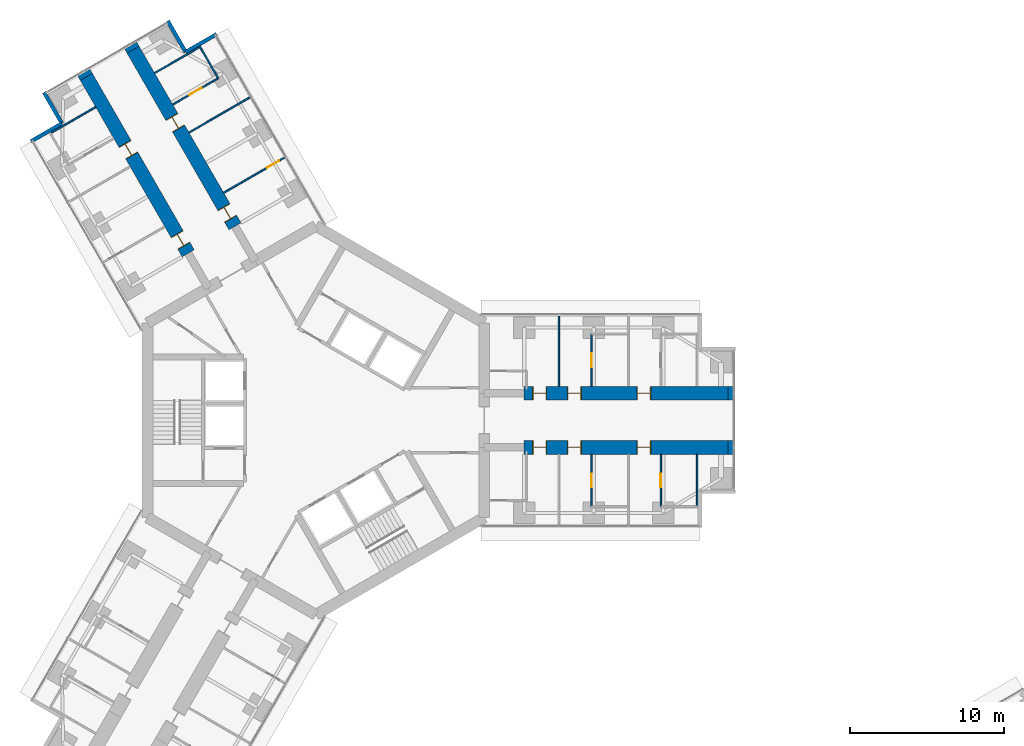
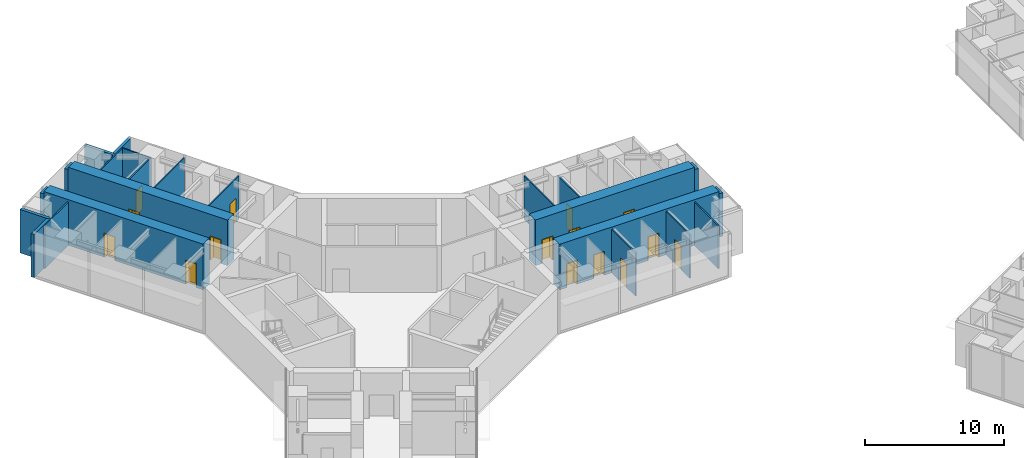
# One storey, part 19 of 25: 23 walls, 15 doors, 15 openings.
"""IFC4 building model written with IfcOpenShell, lengths in metres."""

from ifc_helpers import new_model, si_unit, direction, frame, frame_2d, origin, place, context, subcontext, project, spatial, rectangle, extrude, material, layer, layer_set, type_object, element, fill, save


model = new_model("IFC4")

# Units and contexts
model_context = context("Model", 3, precision=1e-05, world=origin(), true_north=direction((0.0, 1.0)))
body_context = subcontext(model_context, "Body", "Model", "MODEL_VIEW")
ifc_project = project(units=[si_unit("LENGTHUNIT", "METRE"), si_unit("AREAUNIT", "SQUARE_METRE"), si_unit("VOLUMEUNIT", "CUBIC_METRE"), si_unit("PLANEANGLEUNIT", "RADIAN"), si_unit("MASSUNIT", "GRAM", prefix="KILO")], contexts=[model_context])

# Site, building, storey
site_placement = place(None, origin())
site = spatial("IfcSite", under=ifc_project, at=site_placement, CompositionType="ELEMENT")
building_placement = place(site_placement, origin())
building = spatial("IfcBuilding", under=site, at=building_placement, Name="Upepo Twin Towers", CompositionType="ELEMENT")
storey_placement = place(building_placement, frame((0.0, 0.0, 84.5)))
storey = spatial("IfcBuildingStorey", under=building, at=storey_placement, Name="L20", CompositionType="ELEMENT", Elevation=84.5)

# Walls
ifc_material_1 = material(Name="Dense concrete blockwork", Category="masonry")
ifc_layer_1 = layer(ifc_material_1, 0.89990234375)
ifc_layer_set_1 = layer_set([ifc_layer_1], Name="Buttress closer 900, blockwork with fire-stopping to the curtain wall")
wall_type_1 = type_object("IfcWallType", Name="Buttress closer 900, blockwork with fire-stopping to the curtain wall", PredefinedType="PARTITIONING", material=ifc_layer_set_1)
for number, where, z_axis, x_axis, name in (
    (1, (26.699951171875, 1.75, 0.0), (0.0, 0.0, 1.0), (1.0, 0.0, 0.0), "T1 L20 wing A buttress closer L"),
    (2, (26.699951171875, -1.75, 0.0), (0.0, 0.0, 1.0), (1.0, 0.0, 0.0), "T1 L20 wing A buttress closer R"),
    (3, (-14.865478515625, 22.247802734375, 0.0), (0.0, 0.0, 1.0), (-0.499949632511, 0.866054481515, 0.0), "T1 L20 wing B buttress closer L"),
    (4, (-11.83447265625, 23.997802734375, 0.0), (0.0, 0.0, 1.0), (-0.499949632511, 0.866054481515, 0.0), "T1 L20 wing B buttress closer R"),
):
    element("IfcWall", number, at=place(storey_placement, frame(where, z_axis=z_axis, x_axis=x_axis)), inside=storey, type_object=wall_type_1, Name=name, PredefinedType="PARTITIONING", context=body_context, shape_type="SweptSolid", body=[
        extrude(rectangle(XDim=0.31005859375, YDim=0.89990234375, at=frame_2d((0.155029296875, 0.0))), origin(), (0.0, 0.0, 1.0), 3.800048828125),
    ])

# Wall, openings, doors
ifc_material_2 = material(Name="Concrete C60/75", Category="concrete")
ifc_layer_2 = layer(ifc_material_2, 0.89990234375)
ifc_layer_set_2 = layer_set([ifc_layer_2], Name="Concrete C60/75")
wall_type_2 = type_object("IfcWallType", Name="Buttress wall 900 RC", PredefinedType="SHEAR", material=ifc_layer_set_2)
wall_1_placement = place(storey_placement, frame((13.5, 1.75, 0.0), z_axis=(0.0, 0.0, 1.0), x_axis=(1.0, 0.0, 0.0)))
wall_1 = element("IfcWall", 5, at=wall_1_placement, inside=storey, type_object=wall_type_2, Name="T1 wing A buttress wall L part 2", PredefinedType="SHEAR", context=body_context, shape_type="SweptSolid", body=[
    extrude(rectangle(XDim=13.199951171875, YDim=0.89990234375, at=frame_2d((6.60009765625, 0.0))), origin(), (0.0, 0.0, 1.0), 4.0),
])
opening_1_placement = place(wall_1_placement, frame((0.550048828125, 0.0, 0.0)))
opening_1 = element("IfcOpeningElement", 6, at=opening_1_placement, cuts=wall_1, Name="Opening D11", PredefinedType="OPENING", context=body_context, shape_type="SweptSolid", body=[
    extrude(rectangle(XDim=0.89990234375, YDim=2.10009765625, at=frame_2d((0.449951171875, 1.050048828125))), frame((0.0, 0.4599609375, 0.0), z_axis=(0.0, -1.0, 0.0), x_axis=(1.0, 0.0, 0.0)), (0.0, 0.0, 1.0), 0.919921875),
])
opening_2_placement = place(wall_1_placement, frame((2.800048828125, 0.0, 0.0)))
opening_2 = element("IfcOpeningElement", 7, at=opening_2_placement, cuts=wall_1, Name="Opening D14", PredefinedType="OPENING", context=body_context, shape_type="SweptSolid", body=[
    extrude(rectangle(XDim=0.89990234375, YDim=2.10009765625, at=frame_2d((0.449951171875, 1.050048828125))), frame((0.0, 0.4599609375, 0.0), z_axis=(0.0, -1.0, 0.0), x_axis=(1.0, 0.0, 0.0)), (0.0, 0.0, 1.0), 0.919921875),
])
opening_3_placement = place(wall_1_placement, frame((7.300048828125, 0.0, 0.0)))
opening_3 = element("IfcOpeningElement", 8, at=opening_3_placement, cuts=wall_1, Name="Opening D14", PredefinedType="OPENING", context=body_context, shape_type="SweptSolid", body=[
    extrude(rectangle(XDim=0.89990234375, YDim=2.10009765625, at=frame_2d((0.449951171875, 1.050048828125))), frame((0.0, 0.4599609375, 0.0), z_axis=(0.0, -1.0, 0.0), x_axis=(1.0, 0.0, 0.0)), (0.0, 0.0, 1.0), 0.919921875),
])
ifc_material_3 = material(Name="Timber doorset", Category="wood")
door_type_1 = type_object("IfcDoorType", Name="Office door 900 FD30", OperationType="SINGLE_SWING_LEFT", PredefinedType="DOOR", material=ifc_material_3)
door_1_placement = place(opening_2_placement, origin())
door_1 = element("IfcDoor", 9, at=door_1_placement, inside=storey, type_object=door_type_1, Name="T1 L20 staff office door", OperationType="SINGLE_SWING_LEFT", OverallHeight=2.10009765625, OverallWidth=0.89990234375, PredefinedType="DOOR", context=body_context, shape_type="SweptSolid", body=[
    extrude(rectangle(XDim=0.81990234375, YDim=2.06009765625, at=frame_2d((0.449951171875, 1.030029296875))), frame((0.0, 0.02490234375, 0.0), z_axis=(0.0, -1.0, 0.0), x_axis=(1.0, 0.0, 0.0)), (0.0, 0.0, 1.0), 0.050048828125),
    extrude(rectangle(XDim=0.04, YDim=2.10009765625, at=frame_2d((0.02001953125, 1.050048828125))), frame((0.0, 0.44970703125, 0.0), z_axis=(0.0, -1.0, 0.0), x_axis=(1.0, 0.0, 0.0)), (0.0, 0.0, 1.0), 0.8994140625),
    extrude(rectangle(XDim=0.04, YDim=2.10009765625, at=frame_2d((0.8798828125, 1.050048828125))), frame((0.0, 0.44970703125, 0.0), z_axis=(0.0, -1.0, 0.0), x_axis=(1.0, 0.0, 0.0)), (0.0, 0.0, 1.0), 0.8994140625),
    extrude(rectangle(XDim=0.81990234375, YDim=0.04, at=frame_2d((0.449951171875, 2.080078125))), frame((0.0, 0.44970703125, 0.0), z_axis=(0.0, -1.0, 0.0), x_axis=(1.0, 0.0, 0.0)), (0.0, 0.0, 1.0), 0.8994140625),
])
fill(opening_2, door_1)
door_2_placement = place(opening_3_placement, origin())
door_2 = element("IfcDoor", 10, at=door_2_placement, inside=storey, type_object=door_type_1, Name="T1 L20 postgraduate office door", OperationType="SINGLE_SWING_RIGHT", OverallHeight=2.10009765625, OverallWidth=0.89990234375, PredefinedType="DOOR", context=body_context, shape_type="SweptSolid", body=[
    extrude(rectangle(XDim=0.81990234375, YDim=2.06009765625, at=frame_2d((0.449951171875, 1.030029296875))), frame((0.0, 0.02490234375, 0.0), z_axis=(0.0, -1.0, 0.0), x_axis=(1.0, 0.0, 0.0)), (0.0, 0.0, 1.0), 0.050048828125),
    extrude(rectangle(XDim=0.04, YDim=2.10009765625, at=frame_2d((0.02001953125, 1.050048828125))), frame((0.0, 0.44970703125, 0.0), z_axis=(0.0, -1.0, 0.0), x_axis=(1.0, 0.0, 0.0)), (0.0, 0.0, 1.0), 0.8994140625),
    extrude(rectangle(XDim=0.04, YDim=2.10009765625, at=frame_2d((0.8798828125, 1.050048828125))), frame((0.0, 0.44970703125, 0.0), z_axis=(0.0, -1.0, 0.0), x_axis=(1.0, 0.0, 0.0)), (0.0, 0.0, 1.0), 0.8994140625),
    extrude(rectangle(XDim=0.81990234375, YDim=0.04, at=frame_2d((0.449951171875, 2.080078125))), frame((0.0, 0.44970703125, 0.0), z_axis=(0.0, -1.0, 0.0), x_axis=(1.0, 0.0, 0.0)), (0.0, 0.0, 1.0), 0.8994140625),
])
fill(opening_3, door_2)
ifc_material_4 = material(Name="Timber doorset", Category="wood")
door_type_2 = type_object("IfcDoorType", Name="Toilet door 900", OperationType="SINGLE_SWING_LEFT", PredefinedType="DOOR", material=ifc_material_4)
door_3_placement = place(opening_1_placement, origin())
door_3 = element("IfcDoor", 11, at=door_3_placement, inside=storey, type_object=door_type_2, Name="T1 L20 toilets door", OperationType="SINGLE_SWING_LEFT", OverallHeight=2.10009765625, OverallWidth=0.89990234375, PredefinedType="DOOR", context=body_context, shape_type="SweptSolid", body=[
    extrude(rectangle(XDim=0.81990234375, YDim=2.06009765625, at=frame_2d((0.449951171875, 1.030029296875))), frame((0.0, 0.02490234375, 0.0), z_axis=(0.0, -1.0, 0.0), x_axis=(1.0, 0.0, 0.0)), (0.0, 0.0, 1.0), 0.050048828125),
    extrude(rectangle(XDim=0.04, YDim=2.10009765625, at=frame_2d((0.02001953125, 1.050048828125))), frame((0.0, 0.44970703125, 0.0), z_axis=(0.0, -1.0, 0.0), x_axis=(1.0, 0.0, 0.0)), (0.0, 0.0, 1.0), 0.8994140625),
    extrude(rectangle(XDim=0.04, YDim=2.10009765625, at=frame_2d((0.8798828125, 1.050048828125))), frame((0.0, 0.44970703125, 0.0), z_axis=(0.0, -1.0, 0.0), x_axis=(1.0, 0.0, 0.0)), (0.0, 0.0, 1.0), 0.8994140625),
    extrude(rectangle(XDim=0.81990234375, YDim=0.04, at=frame_2d((0.449951171875, 2.080078125))), frame((0.0, 0.44970703125, 0.0), z_axis=(0.0, -1.0, 0.0), x_axis=(1.0, 0.0, 0.0)), (0.0, 0.0, 1.0), 0.8994140625),
])
fill(opening_1, door_3)

wall_2_placement = place(storey_placement, frame((13.5, -1.75, 0.0), z_axis=(0.0, 0.0, 1.0), x_axis=(1.0, 0.0, 0.0)))
wall_2 = element("IfcWall", 12, at=wall_2_placement, inside=storey, type_object=wall_type_2, Name="T1 wing A buttress wall R part 2", PredefinedType="SHEAR", context=body_context, shape_type="SweptSolid", body=[
    extrude(rectangle(XDim=13.199951171875, YDim=0.89990234375, at=frame_2d((6.60009765625, 0.0))), origin(), (0.0, 0.0, 1.0), 4.0),
])
opening_4_placement = place(wall_2_placement, frame((0.550048828125, 0.0, 0.0)))
opening_4 = element("IfcOpeningElement", 13, at=opening_4_placement, cuts=wall_2, Name="Opening D11", PredefinedType="OPENING", context=body_context, shape_type="SweptSolid", body=[
    extrude(rectangle(XDim=0.89990234375, YDim=2.10009765625, at=frame_2d((0.449951171875, 1.050048828125))), frame((0.0, 0.4599609375, 0.0), z_axis=(0.0, -1.0, 0.0), x_axis=(1.0, 0.0, 0.0)), (0.0, 0.0, 1.0), 0.919921875),
])
opening_5_placement = place(wall_2_placement, frame((2.800048828125, 0.0, 0.0)))
opening_5 = element("IfcOpeningElement", 14, at=opening_5_placement, cuts=wall_2, Name="Opening D14", PredefinedType="OPENING", context=body_context, shape_type="SweptSolid", body=[
    extrude(rectangle(XDim=0.89990234375, YDim=2.10009765625, at=frame_2d((0.449951171875, 1.050048828125))), frame((0.0, 0.4599609375, 0.0), z_axis=(0.0, -1.0, 0.0), x_axis=(1.0, 0.0, 0.0)), (0.0, 0.0, 1.0), 0.919921875),
])
opening_6_placement = place(wall_2_placement, frame((7.300048828125, 0.0, 0.0)))
opening_6 = element("IfcOpeningElement", 15, at=opening_6_placement, cuts=wall_2, Name="Opening D14", PredefinedType="OPENING", context=body_context, shape_type="SweptSolid", body=[
    extrude(rectangle(XDim=0.89990234375, YDim=2.10009765625, at=frame_2d((0.449951171875, 1.050048828125))), frame((0.0, 0.4599609375, 0.0), z_axis=(0.0, -1.0, 0.0), x_axis=(1.0, 0.0, 0.0)), (0.0, 0.0, 1.0), 0.919921875),
])
door_4_placement = place(opening_5_placement, origin())
door_4 = element("IfcDoor", 16, at=door_4_placement, inside=storey, type_object=door_type_1, Name="T1 L20 meeting room door", OperationType="SINGLE_SWING_LEFT", OverallHeight=2.10009765625, OverallWidth=0.89990234375, PredefinedType="DOOR", context=body_context, shape_type="SweptSolid", body=[
    extrude(rectangle(XDim=0.81990234375, YDim=2.06009765625, at=frame_2d((0.449951171875, 1.030029296875))), frame((0.0, 0.02490234375, 0.0), z_axis=(0.0, -1.0, 0.0), x_axis=(1.0, 0.0, 0.0)), (0.0, 0.0, 1.0), 0.050048828125),
    extrude(rectangle(XDim=0.04, YDim=2.10009765625, at=frame_2d((0.02001953125, 1.050048828125))), frame((0.0, 0.44970703125, 0.0), z_axis=(0.0, -1.0, 0.0), x_axis=(1.0, 0.0, 0.0)), (0.0, 0.0, 1.0), 0.8994140625),
    extrude(rectangle(XDim=0.04, YDim=2.10009765625, at=frame_2d((0.8798828125, 1.050048828125))), frame((0.0, 0.44970703125, 0.0), z_axis=(0.0, -1.0, 0.0), x_axis=(1.0, 0.0, 0.0)), (0.0, 0.0, 1.0), 0.8994140625),
    extrude(rectangle(XDim=0.81990234375, YDim=0.04, at=frame_2d((0.449951171875, 2.080078125))), frame((0.0, 0.44970703125, 0.0), z_axis=(0.0, -1.0, 0.0), x_axis=(1.0, 0.0, 0.0)), (0.0, 0.0, 1.0), 0.8994140625),
])
fill(opening_5, door_4)
door_5_placement = place(opening_6_placement, origin())
door_5 = element("IfcDoor", 17, at=door_5_placement, inside=storey, type_object=door_type_1, Name="T1 L20 staff office door", OperationType="SINGLE_SWING_RIGHT", OverallHeight=2.10009765625, OverallWidth=0.89990234375, PredefinedType="DOOR", context=body_context, shape_type="SweptSolid", body=[
    extrude(rectangle(XDim=0.81990234375, YDim=2.06009765625, at=frame_2d((0.449951171875, 1.030029296875))), frame((0.0, 0.02490234375, 0.0), z_axis=(0.0, -1.0, 0.0), x_axis=(1.0, 0.0, 0.0)), (0.0, 0.0, 1.0), 0.050048828125),
    extrude(rectangle(XDim=0.04, YDim=2.10009765625, at=frame_2d((0.02001953125, 1.050048828125))), frame((0.0, 0.44970703125, 0.0), z_axis=(0.0, -1.0, 0.0), x_axis=(1.0, 0.0, 0.0)), (0.0, 0.0, 1.0), 0.8994140625),
    extrude(rectangle(XDim=0.04, YDim=2.10009765625, at=frame_2d((0.8798828125, 1.050048828125))), frame((0.0, 0.44970703125, 0.0), z_axis=(0.0, -1.0, 0.0), x_axis=(1.0, 0.0, 0.0)), (0.0, 0.0, 1.0), 0.8994140625),
    extrude(rectangle(XDim=0.81990234375, YDim=0.04, at=frame_2d((0.449951171875, 2.080078125))), frame((0.0, 0.44970703125, 0.0), z_axis=(0.0, -1.0, 0.0), x_axis=(1.0, 0.0, 0.0)), (0.0, 0.0, 1.0), 0.8994140625),
])
fill(opening_6, door_5)
door_6_placement = place(opening_4_placement, origin())
door_6 = element("IfcDoor", 18, at=door_6_placement, inside=storey, type_object=door_type_2, Name="T1 L20 accessible wc door", OperationType="SINGLE_SWING_LEFT", OverallHeight=2.10009765625, OverallWidth=0.89990234375, PredefinedType="DOOR", context=body_context, shape_type="SweptSolid", body=[
    extrude(rectangle(XDim=0.81990234375, YDim=2.06009765625, at=frame_2d((0.449951171875, 1.030029296875))), frame((0.0, 0.02490234375, 0.0), z_axis=(0.0, -1.0, 0.0), x_axis=(1.0, 0.0, 0.0)), (0.0, 0.0, 1.0), 0.050048828125),
    extrude(rectangle(XDim=0.04, YDim=2.10009765625, at=frame_2d((0.02001953125, 1.050048828125))), frame((0.0, 0.44970703125, 0.0), z_axis=(0.0, -1.0, 0.0), x_axis=(1.0, 0.0, 0.0)), (0.0, 0.0, 1.0), 0.8994140625),
    extrude(rectangle(XDim=0.04, YDim=2.10009765625, at=frame_2d((0.8798828125, 1.050048828125))), frame((0.0, 0.44970703125, 0.0), z_axis=(0.0, -1.0, 0.0), x_axis=(1.0, 0.0, 0.0)), (0.0, 0.0, 1.0), 0.8994140625),
    extrude(rectangle(XDim=0.81990234375, YDim=0.04, at=frame_2d((0.449951171875, 2.080078125))), frame((0.0, 0.44970703125, 0.0), z_axis=(0.0, -1.0, 0.0), x_axis=(1.0, 0.0, 0.0)), (0.0, 0.0, 1.0), 0.8994140625),
])
fill(opening_4, door_6)

wall_3_placement = place(storey_placement, frame((-8.265625, 10.81640625, 0.0), z_axis=(0.0, 0.0, 1.0), x_axis=(-0.499996231654, 0.866027579429, 0.0)))
wall_3 = element("IfcWall", 19, at=wall_3_placement, inside=storey, type_object=wall_type_2, Name="T1 wing B buttress wall L part 2", PredefinedType="SHEAR", context=body_context, shape_type="SweptSolid", body=[
    extrude(rectangle(XDim=13.19970703125, YDim=0.89990234375, at=frame_2d((6.599853515625, 0.0))), origin(), (0.0, 0.0, 1.0), 4.0),
])
opening_7_placement = place(wall_3_placement, frame((0.550048828125, 0.0, 0.0)))
opening_7 = element("IfcOpeningElement", 20, at=opening_7_placement, cuts=wall_3, Name="Opening D14", PredefinedType="OPENING", context=body_context, shape_type="SweptSolid", body=[
    extrude(rectangle(XDim=0.89990234375, YDim=2.10009765625, at=frame_2d((0.449951171875, 1.050048828125))), frame((0.0, 0.4599609375, 0.0), z_axis=(0.0, -1.0, 0.0), x_axis=(1.0, 0.0, 0.0)), (0.0, 0.0, 1.0), 0.919921875),
])
opening_8_placement = place(wall_3_placement, frame((7.300048828125, 0.0, 0.0)))
opening_8 = element("IfcOpeningElement", 21, at=opening_8_placement, cuts=wall_3, Name="Opening D14", PredefinedType="OPENING", context=body_context, shape_type="SweptSolid", body=[
    extrude(rectangle(XDim=0.89990234375, YDim=2.10009765625, at=frame_2d((0.449951171875, 1.050048828125))), frame((0.0, 0.4599609375, 0.0), z_axis=(0.0, -1.0, 0.0), x_axis=(1.0, 0.0, 0.0)), (0.0, 0.0, 1.0), 0.919921875),
])
door_7_placement = place(opening_7_placement, origin())
door_7 = element("IfcDoor", 22, at=door_7_placement, inside=storey, type_object=door_type_1, Name="T1 L20 staff office door", OperationType="SINGLE_SWING_LEFT", OverallHeight=2.10009765625, OverallWidth=0.89990234375, PredefinedType="DOOR", context=body_context, shape_type="SweptSolid", body=[
    extrude(rectangle(XDim=0.81990234375, YDim=2.06009765625, at=frame_2d((0.449951171875, 1.030029296875))), frame((0.0, 0.02490234375, 0.0), z_axis=(0.0, -1.0, 0.0), x_axis=(1.0, 0.0, 0.0)), (0.0, 0.0, 1.0), 0.050048828125),
    extrude(rectangle(XDim=0.04, YDim=2.10009765625, at=frame_2d((0.02001953125, 1.050048828125))), frame((0.0, 0.44970703125, 0.0), z_axis=(0.0, -1.0, 0.0), x_axis=(1.0, 0.0, 0.0)), (0.0, 0.0, 1.0), 0.8994140625),
    extrude(rectangle(XDim=0.04, YDim=2.10009765625, at=frame_2d((0.8798828125, 1.050048828125))), frame((0.0, 0.44970703125, 0.0), z_axis=(0.0, -1.0, 0.0), x_axis=(1.0, 0.0, 0.0)), (0.0, 0.0, 1.0), 0.8994140625),
    extrude(rectangle(XDim=0.81990234375, YDim=0.04, at=frame_2d((0.449951171875, 2.080078125))), frame((0.0, 0.44970703125, 0.0), z_axis=(0.0, -1.0, 0.0), x_axis=(1.0, 0.0, 0.0)), (0.0, 0.0, 1.0), 0.8994140625),
])
fill(opening_7, door_7)
door_8_placement = place(opening_8_placement, origin())
door_8 = element("IfcDoor", 23, at=door_8_placement, inside=storey, type_object=door_type_1, Name="T1 L20 meeting room door", OperationType="SINGLE_SWING_RIGHT", OverallHeight=2.10009765625, OverallWidth=0.89990234375, PredefinedType="DOOR", context=body_context, shape_type="SweptSolid", body=[
    extrude(rectangle(XDim=0.81990234375, YDim=2.06009765625, at=frame_2d((0.449951171875, 1.030029296875))), frame((0.0, 0.02490234375, 0.0), z_axis=(0.0, -1.0, 0.0), x_axis=(1.0, 0.0, 0.0)), (0.0, 0.0, 1.0), 0.050048828125),
    extrude(rectangle(XDim=0.04, YDim=2.10009765625, at=frame_2d((0.02001953125, 1.050048828125))), frame((0.0, 0.44970703125, 0.0), z_axis=(0.0, -1.0, 0.0), x_axis=(1.0, 0.0, 0.0)), (0.0, 0.0, 1.0), 0.8994140625),
    extrude(rectangle(XDim=0.04, YDim=2.10009765625, at=frame_2d((0.8798828125, 1.050048828125))), frame((0.0, 0.44970703125, 0.0), z_axis=(0.0, -1.0, 0.0), x_axis=(1.0, 0.0, 0.0)), (0.0, 0.0, 1.0), 0.8994140625),
    extrude(rectangle(XDim=0.81990234375, YDim=0.04, at=frame_2d((0.449951171875, 2.080078125))), frame((0.0, 0.44970703125, 0.0), z_axis=(0.0, -1.0, 0.0), x_axis=(1.0, 0.0, 0.0)), (0.0, 0.0, 1.0), 0.8994140625),
])
fill(opening_8, door_8)

wall_4_placement = place(storey_placement, frame((-5.234375, 12.56640625, 0.0), z_axis=(0.0, 0.0, 1.0), x_axis=(-0.500010103361, 0.866019570528, 0.0)))
wall_4 = element("IfcWall", 24, at=wall_4_placement, inside=storey, type_object=wall_type_2, Name="T1 wing B buttress wall R part 2", PredefinedType="SHEAR", context=body_context, shape_type="SweptSolid", body=[
    extrude(rectangle(XDim=13.199951171875, YDim=0.89990234375, at=frame_2d((6.60009765625, 0.0))), origin(), (0.0, 0.0, 1.0), 4.0),
])
opening_9_placement = place(wall_4_placement, frame((0.550048828125, 0.0, 0.0)))
opening_9 = element("IfcOpeningElement", 25, at=opening_9_placement, cuts=wall_4, Name="Opening D14", PredefinedType="OPENING", context=body_context, shape_type="SweptSolid", body=[
    extrude(rectangle(XDim=0.89990234375, YDim=2.10009765625, at=frame_2d((0.449951171875, 1.050048828125))), frame((0.0, 0.4599609375, 0.0), z_axis=(0.0, -1.0, 0.0), x_axis=(1.0, 0.0, 0.0)), (0.0, 0.0, 1.0), 0.919921875),
])
opening_10_placement = place(wall_4_placement, frame((7.300048828125, 0.0, 0.0)))
opening_10 = element("IfcOpeningElement", 26, at=opening_10_placement, cuts=wall_4, Name="Opening D14", PredefinedType="OPENING", context=body_context, shape_type="SweptSolid", body=[
    extrude(rectangle(XDim=0.89990234375, YDim=2.10009765625, at=frame_2d((0.449951171875, 1.050048828125))), frame((0.0, 0.4599609375, 0.0), z_axis=(0.0, -1.0, 0.0), x_axis=(1.0, 0.0, 0.0)), (0.0, 0.0, 1.0), 0.919921875),
])
door_9_placement = place(opening_9_placement, origin())
door_9 = element("IfcDoor", 27, at=door_9_placement, inside=storey, type_object=door_type_1, Name="T1 L20 staff office door", OperationType="SINGLE_SWING_LEFT", OverallHeight=2.10009765625, OverallWidth=0.89990234375, PredefinedType="DOOR", context=body_context, shape_type="SweptSolid", body=[
    extrude(rectangle(XDim=0.81990234375, YDim=2.06009765625, at=frame_2d((0.449951171875, 1.030029296875))), frame((0.0, 0.02490234375, 0.0), z_axis=(0.0, -1.0, 0.0), x_axis=(1.0, 0.0, 0.0)), (0.0, 0.0, 1.0), 0.050048828125),
    extrude(rectangle(XDim=0.04, YDim=2.10009765625, at=frame_2d((0.02001953125, 1.050048828125))), frame((0.0, 0.44970703125, 0.0), z_axis=(0.0, -1.0, 0.0), x_axis=(1.0, 0.0, 0.0)), (0.0, 0.0, 1.0), 0.8994140625),
    extrude(rectangle(XDim=0.04, YDim=2.10009765625, at=frame_2d((0.8798828125, 1.050048828125))), frame((0.0, 0.44970703125, 0.0), z_axis=(0.0, -1.0, 0.0), x_axis=(1.0, 0.0, 0.0)), (0.0, 0.0, 1.0), 0.8994140625),
    extrude(rectangle(XDim=0.81990234375, YDim=0.04, at=frame_2d((0.449951171875, 2.080078125))), frame((0.0, 0.44970703125, 0.0), z_axis=(0.0, -1.0, 0.0), x_axis=(1.0, 0.0, 0.0)), (0.0, 0.0, 1.0), 0.8994140625),
])
fill(opening_9, door_9)
door_10_placement = place(opening_10_placement, origin())
door_10 = element("IfcDoor", 28, at=door_10_placement, inside=storey, type_object=door_type_1, Name="T1 L20 postgraduate office door", OperationType="SINGLE_SWING_RIGHT", OverallHeight=2.10009765625, OverallWidth=0.89990234375, PredefinedType="DOOR", context=body_context, shape_type="SweptSolid", body=[
    extrude(rectangle(XDim=0.81990234375, YDim=2.06009765625, at=frame_2d((0.449951171875, 1.030029296875))), frame((0.0, 0.02490234375, 0.0), z_axis=(0.0, -1.0, 0.0), x_axis=(1.0, 0.0, 0.0)), (0.0, 0.0, 1.0), 0.050048828125),
    extrude(rectangle(XDim=0.04, YDim=2.10009765625, at=frame_2d((0.02001953125, 1.050048828125))), frame((0.0, 0.44970703125, 0.0), z_axis=(0.0, -1.0, 0.0), x_axis=(1.0, 0.0, 0.0)), (0.0, 0.0, 1.0), 0.8994140625),
    extrude(rectangle(XDim=0.04, YDim=2.10009765625, at=frame_2d((0.8798828125, 1.050048828125))), frame((0.0, 0.44970703125, 0.0), z_axis=(0.0, -1.0, 0.0), x_axis=(1.0, 0.0, 0.0)), (0.0, 0.0, 1.0), 0.8994140625),
    extrude(rectangle(XDim=0.81990234375, YDim=0.04, at=frame_2d((0.449951171875, 2.080078125))), frame((0.0, 0.44970703125, 0.0), z_axis=(0.0, -1.0, 0.0), x_axis=(1.0, 0.0, 0.0)), (0.0, 0.0, 1.0), 0.8994140625),
])
fill(opening_10, door_10)

# Walls
ifc_material_5 = material(Name="Blockwork with anodised aluminium cladding", Category="masonry")
ifc_layer_3 = layer(ifc_material_5, 0.25)
ifc_layer_set_3 = layer_set([ifc_layer_3], Name="Notch cladding wall 250, pale metal")
wall_type_3 = type_object("IfcWallType", Name="Notch cladding wall 250, pale metal", PredefinedType="STANDARD", material=ifc_layer_set_3)
for number, where, z_axis, x_axis, name in (
    (29, (-18.456298828125, 18.0673828125, 0.0), (0.0, 0.0, 1.0), (0.865998469481, 0.500046648681, 0.0), "T1 L20 wing B notch wall L1"),
    (30, (-16.44287109375, 19.22998046875, 0.0), (0.0, 0.0, 1.0), (-0.500046648681, 0.865998469481, 0.0), "T1 L20 wing B notch wall L2"),
    (31, (-6.418701171875, 25.017333984375, 0.0), (0.0, 0.0, 1.0), (-0.866043940782, -0.499967891604, 0.0), "T1 L20 wing B notch wall R1"),
    (32, (-8.43212890625, 23.85498046875, 0.0), (0.0, 0.0, 1.0), (-0.500046648681, 0.865998469481, 0.0), "T1 L20 wing B notch wall R2"),
):
    element("IfcWall", number, at=place(storey_placement, frame(where, z_axis=z_axis, x_axis=x_axis)), inside=storey, type_object=wall_type_3, Name=name, PredefinedType="STANDARD", context=body_context, shape_type="SweptSolid", body=[
        extrude(rectangle(XDim=2.324951171875, YDim=0.25, at=frame_2d((1.16259765625, 0.0))), origin(), (0.0, 0.0, 1.0), 3.800048828125),
    ])
ifc_material_6 = material(Name="Gypsum board on steel studs", Category="steel")
ifc_layer_4 = layer(ifc_material_6, 0.10009765625)
ifc_layer_set_4 = layer_set([ifc_layer_4], Name="Office partition 100 stud")
wall_type_4 = type_object("IfcWallType", Name="Office partition 100 stud", PredefinedType="PARTITIONING", material=ifc_layer_set_4)
wall_5_placement = place(storey_placement, frame((15.75, 2.199951171875, 0.0), z_axis=(0.0, 0.0, 1.0), x_axis=(0.0, 1.0, 0.0)))
element("IfcWall", 33, at=wall_5_placement, inside=storey, type_object=wall_type_4, Name="T1 partition AL at 15.75", PredefinedType="PARTITIONING", context=body_context, shape_type="SweptSolid", body=[
    extrude(rectangle(XDim=4.550048828125, YDim=0.10009765625, at=frame_2d((2.27490234375, 0.0))), origin(), (0.0, 0.0, 1.0), 3.800048828125),
])

# Wall, opening, door
wall_6_placement = place(storey_placement, frame((17.85009765625, 2.199951171875, 0.0), z_axis=(0.0, 0.0, 1.0), x_axis=(0.0, 1.0, 0.0)))
wall_6 = element("IfcWall", 34, at=wall_6_placement, inside=storey, type_object=wall_type_4, Name="T1 inner room partition AL end at 17.85", PredefinedType="PARTITIONING", context=body_context, shape_type="SweptSolid", body=[
    extrude(rectangle(XDim=3.400146484375, YDim=0.10009765625, at=frame_2d((1.7001953125, 0.0))), origin(), (0.0, 0.0, 1.0), 3.800048828125),
])
opening_11_placement = place(wall_6_placement, frame((1.25, 0.0, 0.0)))
opening_11 = element("IfcOpeningElement", 35, at=opening_11_placement, cuts=wall_6, Name="Opening D14", PredefinedType="OPENING", context=body_context, shape_type="SweptSolid", body=[
    extrude(rectangle(XDim=0.89990234375, YDim=2.10009765625, at=frame_2d((0.449951171875, 1.050048828125))), frame((0.0, 0.06005859375, 0.0), z_axis=(0.0, -1.0, 0.0), x_axis=(1.0, 0.0, 0.0)), (0.0, 0.0, 1.0), 0.1201171875),
])
door_11_placement = place(opening_11_placement, origin())
door_11 = element("IfcDoor", 36, at=door_11_placement, inside=storey, type_object=door_type_1, Name="T1 L20 inner room door", OperationType="SINGLE_SWING_LEFT", OverallHeight=2.10009765625, OverallWidth=0.89990234375, PredefinedType="DOOR", context=body_context, shape_type="SweptSolid", body=[
    extrude(rectangle(XDim=0.89990234375, YDim=2.10009765625, at=frame_2d((0.449951171875, 1.050048828125))), frame((0.0, 0.02490234375, 0.0), z_axis=(0.0, -1.0, 0.0), x_axis=(1.0, 0.0, 0.0)), (0.0, 0.0, 1.0), 0.050048828125),
])
fill(opening_11, door_11)

wall_7_placement = place(storey_placement, frame((17.85009765625, -2.199951171875, 0.0), z_axis=(0.0, 0.0, 1.0), x_axis=(0.0, -1.0, 0.0)))
wall_7 = element("IfcWall", 37, at=wall_7_placement, inside=storey, type_object=wall_type_4, Name="T1 inner room partition AR end at 17.85", PredefinedType="PARTITIONING", context=body_context, shape_type="SweptSolid", body=[
    extrude(rectangle(XDim=3.400146484375, YDim=0.10009765625, at=frame_2d((1.7001953125, 0.0))), origin(), (0.0, 0.0, 1.0), 3.800048828125),
])
opening_12_placement = place(wall_7_placement, frame((1.25, 0.0, 0.0)))
opening_12 = element("IfcOpeningElement", 38, at=opening_12_placement, cuts=wall_7, Name="Opening D14", PredefinedType="OPENING", context=body_context, shape_type="SweptSolid", body=[
    extrude(rectangle(XDim=0.89990234375, YDim=2.10009765625, at=frame_2d((0.449951171875, 1.050048828125))), frame((0.0, 0.06005859375, 0.0), z_axis=(0.0, -1.0, 0.0), x_axis=(1.0, 0.0, 0.0)), (0.0, 0.0, 1.0), 0.1201171875),
])
door_12_placement = place(opening_12_placement, origin())
door_12 = element("IfcDoor", 39, at=door_12_placement, inside=storey, type_object=door_type_1, Name="T1 L20 inner room door", OperationType="SINGLE_SWING_LEFT", OverallHeight=2.10009765625, OverallWidth=0.89990234375, PredefinedType="DOOR", context=body_context, shape_type="SweptSolid", body=[
    extrude(rectangle(XDim=0.89990234375, YDim=2.10009765625, at=frame_2d((0.449951171875, 1.050048828125))), frame((0.0, 0.02490234375, 0.0), z_axis=(0.0, -1.0, 0.0), x_axis=(1.0, 0.0, 0.0)), (0.0, 0.0, 1.0), 0.050048828125),
])
fill(opening_12, door_12)

wall_8_placement = place(storey_placement, frame((22.35009765625, -2.199951171875, 0.0), z_axis=(0.0, 0.0, 1.0), x_axis=(0.0, -1.0, 0.0)))
wall_8 = element("IfcWall", 40, at=wall_8_placement, inside=storey, type_object=wall_type_4, Name="T1 inner room partition AR end at 22.35", PredefinedType="PARTITIONING", context=body_context, shape_type="SweptSolid", body=[
    extrude(rectangle(XDim=3.400146484375, YDim=0.10009765625, at=frame_2d((1.7001953125, 0.0))), origin(), (0.0, 0.0, 1.0), 3.800048828125),
])
opening_13_placement = place(wall_8_placement, frame((1.25, 0.0, 0.0)))
opening_13 = element("IfcOpeningElement", 41, at=opening_13_placement, cuts=wall_8, Name="Opening D14", PredefinedType="OPENING", context=body_context, shape_type="SweptSolid", body=[
    extrude(rectangle(XDim=0.89990234375, YDim=2.10009765625, at=frame_2d((0.449951171875, 1.050048828125))), frame((0.0, 0.06005859375, 0.0), z_axis=(0.0, -1.0, 0.0), x_axis=(1.0, 0.0, 0.0)), (0.0, 0.0, 1.0), 0.1201171875),
])
door_13_placement = place(opening_13_placement, origin())
door_13 = element("IfcDoor", 42, at=door_13_placement, inside=storey, type_object=door_type_1, Name="T1 L20 inner room door", OperationType="SINGLE_SWING_LEFT", OverallHeight=2.10009765625, OverallWidth=0.89990234375, PredefinedType="DOOR", context=body_context, shape_type="SweptSolid", body=[
    extrude(rectangle(XDim=0.89990234375, YDim=2.10009765625, at=frame_2d((0.449951171875, 1.050048828125))), frame((0.0, 0.02490234375, 0.0), z_axis=(0.0, -1.0, 0.0), x_axis=(1.0, 0.0, 0.0)), (0.0, 0.0, 1.0), 0.050048828125),
])
fill(opening_13, door_13)

# Walls
wall_9_placement = place(storey_placement, frame((24.699951171875, -2.199951171875, 0.0), z_axis=(0.0, 0.0, 1.0), x_axis=(0.0, -1.0, 0.0)))
element("IfcWall", 43, at=wall_9_placement, inside=storey, type_object=wall_type_4, Name="T1 inner room partition AR end at 24.75", PredefinedType="PARTITIONING", context=body_context, shape_type="SweptSolid", body=[
    extrude(rectangle(XDim=3.400146484375, YDim=0.10009765625, at=frame_2d((1.7001953125, 0.0))), origin(), (0.0, 0.0, 1.0), 3.800048828125),
])
wall_10_placement = place(storey_placement, frame((-14.25537109375, 20.290771484375, 0.0), z_axis=(0.0, 0.0, 1.0), x_axis=(-0.866020560687, -0.500008388397, 0.0)))
element("IfcWall", 44, at=wall_10_placement, inside=storey, type_object=wall_type_4, Name="T1 inner room partition BL end at 24.75", PredefinedType="PARTITIONING", context=body_context, shape_type="SweptSolid", body=[
    extrude(rectangle(XDim=3.39990234375, YDim=0.10009765625, at=frame_2d((1.699951171875, 0.0))), origin(), (0.0, 0.0, 1.0), 3.800048828125),
])

# Wall, opening, door
wall_11_placement = place(storey_placement, frame((-5.9697265625, 14.739990234375, 0.0), z_axis=(0.0, 0.0, 1.0), x_axis=(0.866035472144, 0.499982560684, 0.0)))
wall_11 = element("IfcWall", 45, at=wall_11_placement, inside=storey, type_object=wall_type_4, Name="T1 partition BR at 15.75", PredefinedType="PARTITIONING", context=body_context, shape_type="SweptSolid", body=[
    extrude(rectangle(XDim=4.550048828125, YDim=0.10009765625, at=frame_2d((2.27490234375, 0.0))), origin(), (0.0, 0.0, 1.0), 3.800048828125),
])
opening_14_placement = place(wall_11_placement, frame((3.25, 0.0, 0.0)))
opening_14 = element("IfcOpeningElement", 46, at=opening_14_placement, cuts=wall_11, Name="Opening D14", PredefinedType="OPENING", context=body_context, shape_type="SweptSolid", body=[
    extrude(rectangle(XDim=0.89990234375, YDim=2.10009765625, at=frame_2d((0.449951171875, 1.050048828125))), frame((0.0, 0.06005859375, 0.0), z_axis=(0.0, -1.0, 0.0), x_axis=(1.0, 0.0, 0.0)), (0.0, 0.0, 1.0), 0.1201171875),
])
door_14_placement = place(opening_14_placement, origin())
door_14 = element("IfcDoor", 47, at=door_14_placement, inside=storey, type_object=door_type_1, Name="T1 L20 connecting door", OperationType="SINGLE_SWING_RIGHT", OverallHeight=2.10009765625, OverallWidth=0.89990234375, PredefinedType="DOOR", context=body_context, shape_type="SweptSolid", body=[
    extrude(rectangle(XDim=0.89990234375, YDim=2.10009765625, at=frame_2d((0.449951171875, 1.050048828125))), frame((0.0, 0.02490234375, 0.0), z_axis=(0.0, -1.0, 0.0), x_axis=(1.0, 0.0, 0.0)), (0.0, 0.0, 1.0), 0.050048828125),
])
fill(opening_14, door_14)

# Walls
wall_12_placement = place(storey_placement, frame((-8.2197265625, 18.636962890625, 0.0), z_axis=(0.0, 0.0, 1.0), x_axis=(0.866012237902, 0.500022803284, 0.0)))
element("IfcWall", 48, at=wall_12_placement, inside=storey, type_object=wall_type_4, Name="T1 partition BR at 20.25", PredefinedType="PARTITIONING", context=body_context, shape_type="SweptSolid", body=[
    extrude(rectangle(XDim=4.550048828125, YDim=0.10009765625, at=frame_2d((2.27490234375, 0.0))), origin(), (0.0, 0.0, 1.0), 3.800048828125),
])
wall_13_placement = place(storey_placement, frame((-6.3251953125, 22.15576171875, 0.0), z_axis=(0.0, 0.0, 1.0), x_axis=(-0.500001309137, 0.866024647952, 0.0)))
element("IfcWall", 49, at=wall_13_placement, inside=storey, type_object=wall_type_4, Name="T1 inner room partition BR at 22.35", PredefinedType="PARTITIONING", context=body_context, shape_type="SweptSolid", body=[
    extrude(rectangle(XDim=2.39990234375, YDim=0.10009765625, at=frame_2d((1.199951171875, 0.0))), origin(), (0.0, 0.0, 1.0), 3.800048828125),
])

# Wall, opening, door
wall_14_placement = place(storey_placement, frame((-9.269775390625, 20.45556640625, 0.0), z_axis=(0.0, 0.0, 1.0), x_axis=(0.866007419912, 0.500031147688, 0.0)))
wall_14 = element("IfcWall", 50, at=wall_14_placement, inside=storey, type_object=wall_type_4, Name="T1 inner room partition BR end at 22.35", PredefinedType="PARTITIONING", context=body_context, shape_type="SweptSolid", body=[
    extrude(rectangle(XDim=3.400146484375, YDim=0.10009765625, at=frame_2d((1.7001953125, 0.0))), origin(), (0.0, 0.0, 1.0), 3.800048828125),
])
opening_15_placement = place(wall_14_placement, frame((1.25, 0.0, 0.0)))
opening_15 = element("IfcOpeningElement", 51, at=opening_15_placement, cuts=wall_14, Name="Opening D14", PredefinedType="OPENING", context=body_context, shape_type="SweptSolid", body=[
    extrude(rectangle(XDim=0.89990234375, YDim=2.10009765625, at=frame_2d((0.449951171875, 1.050048828125))), frame((0.0, 0.06005859375, 0.0), z_axis=(0.0, -1.0, 0.0), x_axis=(1.0, 0.0, 0.0)), (0.0, 0.0, 1.0), 0.1201171875),
])
door_15_placement = place(opening_15_placement, origin())
door_15 = element("IfcDoor", 52, at=door_15_placement, inside=storey, type_object=door_type_1, Name="T1 L20 inner room door", OperationType="SINGLE_SWING_LEFT", OverallHeight=2.10009765625, OverallWidth=0.89990234375, PredefinedType="DOOR", context=body_context, shape_type="SweptSolid", body=[
    extrude(rectangle(XDim=0.89990234375, YDim=2.10009765625, at=frame_2d((0.449951171875, 1.050048828125))), frame((0.0, 0.02490234375, 0.0), z_axis=(0.0, -1.0, 0.0), x_axis=(1.0, 0.0, 0.0)), (0.0, 0.0, 1.0), 0.050048828125),
])
fill(opening_15, door_15)

# Wall
wall_15_placement = place(storey_placement, frame((-10.44482421875, 22.49072265625, 0.0), z_axis=(0.0, 0.0, 1.0), x_axis=(0.866007419912, 0.500031147688, 0.0)))
element("IfcWall", 53, at=wall_15_placement, inside=storey, type_object=wall_type_4, Name="T1 inner room partition BR end at 24.75", PredefinedType="PARTITIONING", context=body_context, shape_type="SweptSolid", body=[
    extrude(rectangle(XDim=3.400146484375, YDim=0.10009765625, at=frame_2d((1.7001953125, 0.0))), origin(), (0.0, 0.0, 1.0), 3.800048828125),
])

save(model, "model.ifc")
